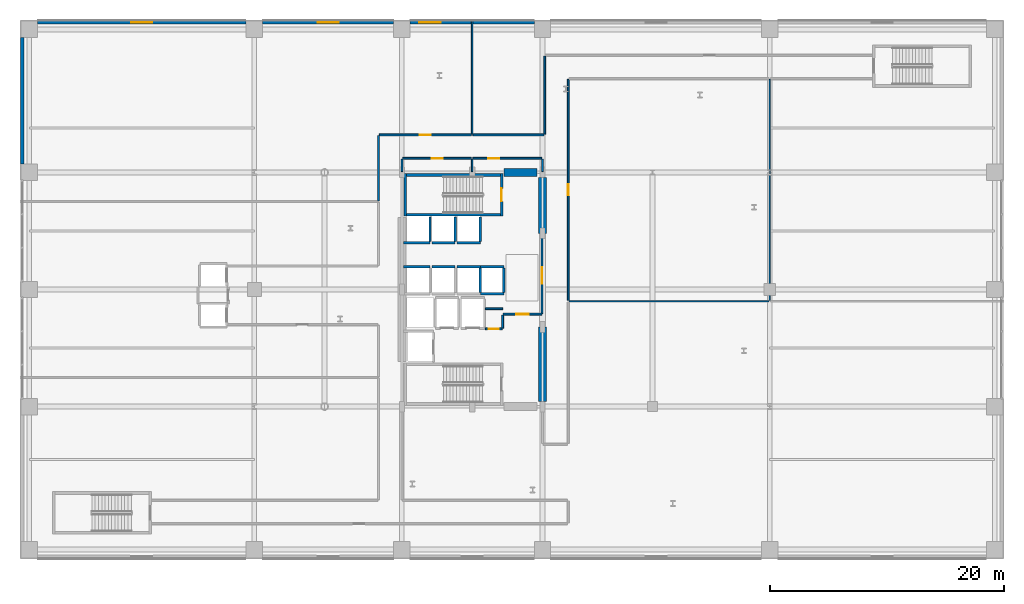
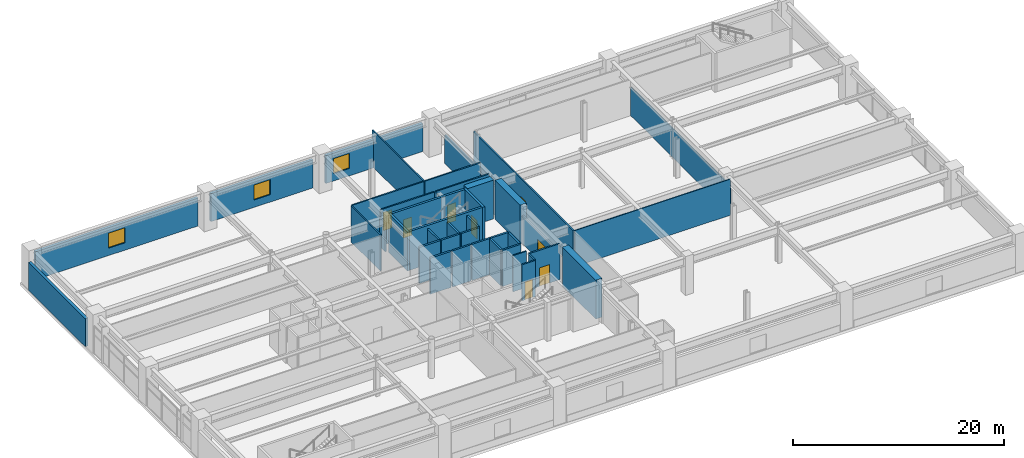
# One storey, part 21 of 28: 42 walls, 8 doors, 3 windows, 11 openings.
"""IFC4 building model written with IfcOpenShell, lengths in metres."""

from ifc_helpers import new_model, si_unit, direction, frame, frame_2d, origin, place, context, subcontext, project, spatial, rectangle, extrude, material, layer, layer_set, type_object, element, fill, save


model = new_model("IFC4")

# Units and contexts
model_context = context("Model", 3, precision=1e-05, world=origin(), true_north=direction((0.0, 1.0)))
body_context = subcontext(model_context, "Body", "Model", "MODEL_VIEW")
ifc_project = project(units=[si_unit("LENGTHUNIT", "METRE"), si_unit("AREAUNIT", "SQUARE_METRE"), si_unit("VOLUMEUNIT", "CUBIC_METRE"), si_unit("PLANEANGLEUNIT", "RADIAN"), si_unit("MASSUNIT", "GRAM", prefix="KILO")], contexts=[model_context])

# Site, building, storey
site_placement = place(None, origin())
site = spatial("IfcSite", under=ifc_project, at=site_placement, CompositionType="ELEMENT")
building_placement = place(site_placement, origin())
building = spatial("IfcBuilding", under=site, at=building_placement, Name="Soratama Intermodal Tower", CompositionType="ELEMENT")
storey_placement = place(building_placement, frame((0.0, 0.0, 20.699951171875)))
storey = spatial("IfcBuildingStorey", under=building, at=storey_placement, Name="L04", CompositionType="ELEMENT", Elevation=20.699951171875)

# Wall, opening, window
ifc_material_1 = material(Name="Concrete f'c 42 MPa", Category="concrete")
ifc_layer_1 = layer(ifc_material_1, 0.300048828125)
ifc_layer_set_1 = layer_set([ifc_layer_1], Name="Concrete f'c 42 MPa")
wall_type_1 = type_object("IfcWallType", Name="EW-STONE-300", PredefinedType="SOLIDWALL", material=ifc_layer_set_1)
wall_1_placement = place(storey_placement, frame((1.5, 47.800048828125, 0.0), z_axis=(0.0, 0.0, 1.0), x_axis=(1.0, 0.0, 0.0)))
wall_1 = element("IfcWall", 1, at=wall_1_placement, inside=storey, type_object=wall_type_1, Name="L04 N Limestone Wall B1", PredefinedType="SOLIDWALL", context=body_context, shape_type="SweptSolid", body=[
    extrude(rectangle(XDim=17.800048828125, YDim=0.300048828125, at=frame_2d((8.89990234375, 0.0))), origin(), (0.0, 0.0, 1.0), 3.236083984375),
])
opening_1_placement = place(wall_1_placement, frame((8.0, 0.0, 0.85009765625)))
opening_1 = element("IfcOpeningElement", 2, at=opening_1_placement, cuts=wall_1, Name="Opening WN-3", PredefinedType="OPENING", context=body_context, shape_type="SweptSolid", body=[
    extrude(rectangle(XDim=1.800048828125, YDim=1.75, at=frame_2d((0.89990234375, 0.875))), frame((0.0, 0.159912109375, 0.0), z_axis=(0.0, -1.0, 0.0), x_axis=(1.0, 0.0, 0.0)), (0.0, 0.0, 1.0), 0.320068359375),
])
ifc_material_2 = material(Name="Double-glazed aluminium window", Category="aluminium")
window_type = type_object("IfcWindowType", Name="WN-POD-1800", PartitioningType="SINGLE_PANEL", PredefinedType="WINDOW", material=ifc_material_2)
window_1_placement = place(opening_1_placement, origin())
window_1 = element("IfcWindow", 3, at=window_1_placement, inside=storey, type_object=window_type, Name="L04 N Window B1", OverallHeight=1.75, OverallWidth=1.800048828125, PartitioningType="SINGLE_PANEL", PredefinedType="WINDOW", context=body_context, shape_type="SweptSolid", body=[
    extrude(rectangle(XDim=1.800048828125, YDim=1.75, at=frame_2d((0.89990234375, 0.875))), frame((0.0, 0.030029296875, 0.0), z_axis=(0.0, -1.0, 0.0), x_axis=(1.0, 0.0, 0.0)), (0.0, 0.0, 1.0), 0.06005859375),
])
fill(opening_1, window_1)

wall_2_placement = place(storey_placement, frame((20.699951171875, 47.800048828125, 0.0), z_axis=(0.0, 0.0, 1.0), x_axis=(1.0, 0.0, 0.0)))
wall_2 = element("IfcWall", 4, at=wall_2_placement, inside=storey, type_object=wall_type_1, Name="L04 N Limestone Wall B2", PredefinedType="SOLIDWALL", context=body_context, shape_type="SweptSolid", body=[
    extrude(rectangle(XDim=11.199951171875, YDim=0.300048828125, at=frame_2d((5.60009765625, 0.0))), origin(), (0.0, 0.0, 1.0), 3.236083984375),
])
opening_2_placement = place(wall_2_placement, frame((4.699951171875, 0.0, 0.85009765625)))
opening_2 = element("IfcOpeningElement", 5, at=opening_2_placement, cuts=wall_2, Name="Opening WN-3", PredefinedType="OPENING", context=body_context, shape_type="SweptSolid", body=[
    extrude(rectangle(XDim=1.800048828125, YDim=1.75, at=frame_2d((0.89990234375, 0.875))), frame((0.0, 0.159912109375, 0.0), z_axis=(0.0, -1.0, 0.0), x_axis=(1.0, 0.0, 0.0)), (0.0, 0.0, 1.0), 0.320068359375),
])
window_2_placement = place(opening_2_placement, origin())
window_2 = element("IfcWindow", 6, at=window_2_placement, inside=storey, type_object=window_type, Name="L04 N Window B2", OverallHeight=1.75, OverallWidth=1.800048828125, PartitioningType="SINGLE_PANEL", PredefinedType="WINDOW", context=body_context, shape_type="SweptSolid", body=[
    extrude(rectangle(XDim=1.800048828125, YDim=1.75, at=frame_2d((0.89990234375, 0.875))), frame((0.0, 0.030029296875, 0.0), z_axis=(0.0, -1.0, 0.0), x_axis=(1.0, 0.0, 0.0)), (0.0, 0.0, 1.0), 0.06005859375),
])
fill(opening_2, window_2)

wall_3_placement = place(storey_placement, frame((33.300048828125, 47.800048828125, 0.0), z_axis=(0.0, 0.0, 1.0), x_axis=(1.0, 0.0, 0.0)))
wall_3 = element("IfcWall", 7, at=wall_3_placement, inside=storey, type_object=wall_type_1, Name="L04 N Limestone Wall B3", PredefinedType="SOLIDWALL", context=body_context, shape_type="SweptSolid", body=[
    extrude(rectangle(XDim=10.599853515625, YDim=0.300048828125, at=frame_2d((5.2998046875, 0.0))), origin(), (0.0, 0.0, 1.0), 3.236083984375),
])
opening_3_placement = place(wall_3_placement, frame((0.800048828125, 0.0, 0.85009765625)))
opening_3 = element("IfcOpeningElement", 8, at=opening_3_placement, cuts=wall_3, Name="Opening WN-3", PredefinedType="OPENING", context=body_context, shape_type="SweptSolid", body=[
    extrude(rectangle(XDim=1.800048828125, YDim=1.75, at=frame_2d((0.89990234375, 0.875))), frame((0.0, 0.159912109375, 0.0), z_axis=(0.0, -1.0, 0.0), x_axis=(1.0, 0.0, 0.0)), (0.0, 0.0, 1.0), 0.320068359375),
])
window_3_placement = place(opening_3_placement, origin())
window_3 = element("IfcWindow", 9, at=window_3_placement, inside=storey, type_object=window_type, Name="L04 N Window B3", OverallHeight=1.75, OverallWidth=1.800048828125, PartitioningType="SINGLE_PANEL", PredefinedType="WINDOW", context=body_context, shape_type="SweptSolid", body=[
    extrude(rectangle(XDim=1.800048828125, YDim=1.75, at=frame_2d((0.89990234375, 0.875))), frame((0.0, 0.030029296875, 0.0), z_axis=(0.0, -1.0, 0.0), x_axis=(1.0, 0.0, 0.0)), (0.0, 0.0, 1.0), 0.06005859375),
])
fill(opening_3, window_3)

# Wall
wall_4_placement = place(storey_placement, frame((0.199951171875, 35.699951171875, 0.0), z_axis=(0.0, 0.0, 1.0), x_axis=(0.0, 1.0, 0.0)))
element("IfcWall", 10, at=wall_4_placement, inside=storey, type_object=wall_type_1, Name="L04 Perimeter Wall WN", PredefinedType="SOLIDWALL", context=body_context, shape_type="SweptSolid", body=[
    extrude(rectangle(XDim=10.800048828125, YDim=0.300048828125, at=frame_2d((5.39990234375, 0.0))), origin(), (0.0, 0.0, 1.0), 3.236083984375),
])

# Wall, opening, door
ifc_material_3 = material(Name="Fire-rated gypsum stud partition", Category="concrete")
ifc_layer_2 = layer(ifc_material_3, 0.14990234375)
ifc_layer_set_2 = layer_set([ifc_layer_2], Name="Fire-rated gypsum stud partition")
wall_type_2 = type_object("IfcWallType", Name="IW-PART-R150", PredefinedType="PARTITIONING", material=ifc_layer_set_2)
wall_5_placement = place(storey_placement, frame((46.800048828125, 42.929931640625, 0.0), z_axis=(0.0, 0.0, 1.0), x_axis=(0.0, -1.0, 0.0)))
wall_5 = element("IfcWall", 11, at=wall_5_placement, inside=storey, type_object=wall_type_2, Name="L04 Partition W-L04-TP007", PredefinedType="PARTITIONING", context=body_context, shape_type="SweptSolid", body=[
    extrude(rectangle(XDim=18.85986328125, YDim=0.14990234375, at=frame_2d((9.429931640625, 0.0))), origin(), (0.0, 0.0, 1.0), 4.179931640625),
])
opening_4_placement = place(wall_5_placement, frame((8.955078125, 0.0, 0.0)))
opening_4 = element("IfcOpeningElement", 12, at=opening_4_placement, cuts=wall_5, Name="Opening ID-6", PredefinedType="OPENING", context=body_context, shape_type="SweptSolid", body=[
    extrude(rectangle(XDim=0.919921875, YDim=2.1201171875, at=frame_2d((0.4599609375, 1.06005859375))), frame((0.0, 0.0849609375, 0.0), z_axis=(0.0, -1.0, 0.0), x_axis=(1.0, 0.0, 0.0)), (0.0, 0.0, 1.0), 0.169921875),
])
ifc_material_4 = material(Name="Solid hardwood acoustic door", Category="wood")
door_type_1 = type_object("IfcDoorType", Name="DR-ROOM-920", OperationType="NOTDEFINED", PredefinedType="DOOR", material=ifc_material_4)
door_1_placement = place(opening_4_placement, origin())
door_1 = element("IfcDoor", 13, at=door_1_placement, inside=storey, type_object=door_type_1, Name="L04 Door D-L04-TP003", OperationType="SINGLE_SWING_RIGHT", OverallHeight=2.1201171875, OverallWidth=0.919921875, PredefinedType="DOOR", context=body_context, shape_type="SweptSolid", body=[
    extrude(rectangle(XDim=0.919921875, YDim=2.1201171875, at=frame_2d((0.4599609375, 1.06005859375))), frame((0.0, 0.02490234375, 0.0), z_axis=(0.0, -1.0, 0.0), x_axis=(1.0, 0.0, 0.0)), (0.0, 0.0, 1.0), 0.050048828125),
])
fill(opening_4, door_1)

wall_6_placement = place(storey_placement, frame((30.669921875, 38.199951171875, 0.0), z_axis=(0.0, 0.0, 1.0), x_axis=(1.0, 0.0, 0.0)))
wall_6 = element("IfcWall", 14, at=wall_6_placement, inside=storey, type_object=wall_type_2, Name="L04 Partition W-L04-TP019", PredefinedType="PARTITIONING", context=body_context, shape_type="SweptSolid", body=[
    extrude(rectangle(XDim=7.860107421875, YDim=0.14990234375, at=frame_2d((3.93017578125, 0.0))), origin(), (0.0, 0.0, 1.0), 4.179931640625),
])
opening_5_placement = place(wall_6_placement, frame((3.455078125, 0.0, 0.0)))
opening_5 = element("IfcOpeningElement", 15, at=opening_5_placement, cuts=wall_6, Name="Opening ID-6", PredefinedType="OPENING", context=body_context, shape_type="SweptSolid", body=[
    extrude(rectangle(XDim=0.919921875, YDim=2.1201171875, at=frame_2d((0.4599609375, 1.06005859375))), frame((0.0, 0.0849609375, 0.0), z_axis=(0.0, -1.0, 0.0), x_axis=(1.0, 0.0, 0.0)), (0.0, 0.0, 1.0), 0.169921875),
])
door_2_placement = place(opening_5_placement, origin())
door_2 = element("IfcDoor", 16, at=door_2_placement, inside=storey, type_object=door_type_1, Name="L04 Door D-L04-TP005", OperationType="SINGLE_SWING_RIGHT", OverallHeight=2.1201171875, OverallWidth=0.919921875, PredefinedType="DOOR", context=body_context, shape_type="SweptSolid", body=[
    extrude(rectangle(XDim=0.919921875, YDim=2.1201171875, at=frame_2d((0.4599609375, 1.06005859375))), frame((0.0, 0.02490234375, 0.0), z_axis=(0.0, -1.0, 0.0), x_axis=(1.0, 0.0, 0.0)), (0.0, 0.0, 1.0), 0.050048828125),
])
fill(opening_5, door_2)

wall_7_placement = place(storey_placement, frame((44.56005859375, 29.800048828125, 0.0), z_axis=(0.0, 0.0, 1.0), x_axis=(0.0, -1.0, 0.0)))
wall_7 = element("IfcWall", 17, at=wall_7_placement, inside=storey, type_object=wall_type_2, Name="L04 Partition W-L04-TP020", PredefinedType="PARTITIONING", context=body_context, shape_type="SweptSolid", body=[
    extrude(rectangle(XDim=6.91015625, YDim=0.14990234375, at=frame_2d((3.455078125, 0.0))), origin(), (0.0, 0.0, 1.0), 3.219970703125),
])
opening_6_placement = place(wall_7_placement, frame((2.9150390625, 0.0, 0.0)))
opening_6 = element("IfcOpeningElement", 18, at=opening_6_placement, cuts=wall_7, Name="Opening ID-2", PredefinedType="OPENING", context=body_context, shape_type="SweptSolid", body=[
    extrude(rectangle(XDim=1.3798828125, YDim=2.199951171875, at=frame_2d((0.68994140625, 1.10009765625))), frame((0.0, 0.0849609375, 0.0), z_axis=(0.0, -1.0, 0.0), x_axis=(1.0, 0.0, 0.0)), (0.0, 0.0, 1.0), 0.169921875),
])
ifc_material_5 = material(Name="Solid hardwood acoustic door", Category="wood")
door_type_2 = type_object("IfcDoorType", Name="DR-POD-1400", OperationType="NOTDEFINED", PredefinedType="DOOR", material=ifc_material_5)
door_3_placement = place(opening_6_placement, origin())
door_3 = element("IfcDoor", 19, at=door_3_placement, inside=storey, type_object=door_type_2, Name="L04 Door D-L04-TP006", OperationType="SINGLE_SWING_LEFT", OverallHeight=2.199951171875, OverallWidth=1.3798828125, PredefinedType="DOOR", context=body_context, shape_type="SweptSolid", body=[
    extrude(rectangle(XDim=1.3798828125, YDim=2.199951171875, at=frame_2d((0.68994140625, 1.10009765625))), frame((0.0, 0.02490234375, 0.0), z_axis=(0.0, -1.0, 0.0), x_axis=(1.0, 0.0, 0.0)), (0.0, 0.0, 1.0), 0.050048828125),
])
fill(opening_6, door_3)

# Walls
wall_8_placement = place(storey_placement, frame((44.800048828125, 38.27001953125, 0.0), z_axis=(0.0, 0.0, 1.0), x_axis=(0.0, 1.0, 0.0)))
element("IfcWall", 20, at=wall_8_placement, inside=storey, type_object=wall_type_2, Name="L04 Partition W-L04-TP021", PredefinedType="PARTITIONING", context=body_context, shape_type="SweptSolid", body=[
    extrude(rectangle(XDim=6.659912109375, YDim=0.14990234375, at=frame_2d((3.330078125, 0.0))), origin(), (0.0, 0.0, 1.0), 3.302001953125),
])
wall_9_placement = place(storey_placement, frame((38.669921875, 38.199951171875, 0.0), z_axis=(0.0, 0.0, 1.0), x_axis=(1.0, 0.0, 0.0)))
element("IfcWall", 21, at=wall_9_placement, inside=storey, type_object=wall_type_2, Name="L04 Partition W-L04-TP022", PredefinedType="PARTITIONING", context=body_context, shape_type="SweptSolid", body=[
    extrude(rectangle(XDim=6.06005859375, YDim=0.14990234375, at=frame_2d((3.030029296875, 0.0))), origin(), (0.0, 0.0, 1.0), 4.179931640625),
])

# Wall, opening, door
wall_10_placement = place(storey_placement, frame((38.530029296875, 36.199951171875, 0.0), z_axis=(0.0, 0.0, 1.0), x_axis=(-1.0, 0.0, 0.0)))
wall_10 = element("IfcWall", 22, at=wall_10_placement, inside=storey, type_object=wall_type_2, Name="L04 Partition W-L04-TP023", PredefinedType="PARTITIONING", context=body_context, shape_type="SweptSolid", body=[
    extrude(rectangle(XDim=5.860107421875, YDim=0.14990234375, at=frame_2d((2.93017578125, 0.0))), origin(), (0.0, 0.0, 1.0), 4.179931640625),
])
opening_7_placement = place(wall_10_placement, frame((2.455078125, 0.0, 0.0)))
opening_7 = element("IfcOpeningElement", 23, at=opening_7_placement, cuts=wall_10, Name="Opening ID-6", PredefinedType="OPENING", context=body_context, shape_type="SweptSolid", body=[
    extrude(rectangle(XDim=0.919921875, YDim=2.1201171875, at=frame_2d((0.4599609375, 1.06005859375))), frame((0.0, 0.0849609375, 0.0), z_axis=(0.0, -1.0, 0.0), x_axis=(1.0, 0.0, 0.0)), (0.0, 0.0, 1.0), 0.169921875),
])
door_4_placement = place(opening_7_placement, origin())
door_4 = element("IfcDoor", 24, at=door_4_placement, inside=storey, type_object=door_type_1, Name="L04 Door D-L04-TP007", OperationType="SINGLE_SWING_RIGHT", OverallHeight=2.1201171875, OverallWidth=0.919921875, PredefinedType="DOOR", context=body_context, shape_type="SweptSolid", body=[
    extrude(rectangle(XDim=0.919921875, YDim=2.1201171875, at=frame_2d((0.4599609375, 1.06005859375))), frame((0.0, 0.02490234375, 0.0), z_axis=(0.0, -1.0, 0.0), x_axis=(1.0, 0.0, 0.0)), (0.0, 0.0, 1.0), 0.050048828125),
])
fill(opening_7, door_4)

wall_11_placement = place(storey_placement, frame((44.530029296875, 36.199951171875, 0.0), z_axis=(0.0, 0.0, 1.0), x_axis=(-1.0, 0.0, 0.0)))
wall_11 = element("IfcWall", 25, at=wall_11_placement, inside=storey, type_object=wall_type_2, Name="L04 Partition W-L04-TP024", PredefinedType="PARTITIONING", context=body_context, shape_type="SweptSolid", body=[
    extrude(rectangle(XDim=5.860107421875, YDim=0.14990234375, at=frame_2d((2.93017578125, 0.0))), origin(), (0.0, 0.0, 1.0), 4.179931640625),
])
opening_8_placement = place(wall_11_placement, frame((3.626953125, 0.0, 0.0)))
opening_8 = element("IfcOpeningElement", 26, at=opening_8_placement, cuts=wall_11, Name="Opening ID-6", PredefinedType="OPENING", context=body_context, shape_type="SweptSolid", body=[
    extrude(rectangle(XDim=0.919921875, YDim=2.1201171875, at=frame_2d((0.4599609375, 1.06005859375))), frame((0.0, 0.0849609375, 0.0), z_axis=(0.0, -1.0, 0.0), x_axis=(1.0, 0.0, 0.0)), (0.0, 0.0, 1.0), 0.169921875),
])
door_5_placement = place(opening_8_placement, origin())
door_5 = element("IfcDoor", 27, at=door_5_placement, inside=storey, type_object=door_type_1, Name="L04 Door D-L04-TP008", OperationType="SINGLE_SWING_LEFT", OverallHeight=2.1201171875, OverallWidth=0.919921875, PredefinedType="DOOR", context=body_context, shape_type="SweptSolid", body=[
    extrude(rectangle(XDim=0.919921875, YDim=2.1201171875, at=frame_2d((0.4599609375, 1.06005859375))), frame((0.0, 0.02490234375, 0.0), z_axis=(0.0, -1.0, 0.0), x_axis=(1.0, 0.0, 0.0)), (0.0, 0.0, 1.0), 0.050048828125),
])
fill(opening_8, door_5)

# Walls
wall_12_placement = place(storey_placement, frame((30.60009765625, 32.570068359375, 0.0), z_axis=(0.0, 0.0, 1.0), x_axis=(0.0, 1.0, 0.0)))
element("IfcWall", 28, at=wall_12_placement, inside=storey, type_object=wall_type_2, Name="L04 Partition W-L04-TP025", PredefinedType="PARTITIONING", context=body_context, shape_type="SweptSolid", body=[
    extrude(rectangle(XDim=5.559814453125, YDim=0.14990234375, at=frame_2d((2.77978515625, 0.0))), origin(), (0.0, 0.0, 1.0), 4.179931640625),
])
for number, where, z_axis, x_axis, name in (
    (29, (32.60009765625, 36.1298828125, 0.0), (0.0, 0.0, 1.0), (0.0, -1.0, 0.0), "L04 Partition W-L04-TP036"),
    (30, (44.60009765625, 35.070068359375, 0.0), (0.0, 0.0, 1.0), (0.0, 1.0, 0.0), "L04 Partition W-L04-TP037"),
):
    element("IfcWall", number, at=place(storey_placement, frame(where, z_axis=z_axis, x_axis=x_axis)), inside=storey, type_object=wall_type_2, Name=name, PredefinedType="PARTITIONING", context=body_context, shape_type="SweptSolid", body=[
        extrude(rectangle(XDim=1.059814453125, YDim=0.14990234375, at=frame_2d((0.52978515625, 0.0))), origin(), (0.0, 0.0, 1.0), 3.302001953125),
    ])
wall_13_placement = place(storey_placement, frame((41.199951171875, 23.360107421875, 0.0), z_axis=(0.0, 0.0, 1.0), x_axis=(-1.0, 0.0, 0.0)))
element("IfcWall", 31, at=wall_13_placement, inside=storey, type_object=wall_type_2, Name="L04 Partition W-L04-TP039", PredefinedType="PARTITIONING", context=body_context, shape_type="SweptSolid", body=[
    extrude(rectangle(XDim=1.47998046875, YDim=0.14990234375, at=frame_2d((0.739990234375, 0.0))), origin(), (0.0, 0.0, 1.0), 4.179931640625),
])

# Wall, opening, door
ifc_material_6 = material(Name="Fire-rated gypsum stud partition", Category="concrete")
ifc_layer_3 = layer(ifc_material_6, 0.169921875)
ifc_layer_set_3 = layer_set([ifc_layer_3], Name="Fire-rated gypsum stud partition")
wall_type_3 = type_object("IfcWallType", Name="IW-PART-R170", PredefinedType="PARTITIONING", material=ifc_layer_set_3)
wall_14_placement = place(storey_placement, frame((41.239990234375, 22.889892578125, 0.0), z_axis=(0.0, 0.0, 1.0), x_axis=(1.0, 0.0, 0.0)))
wall_14 = element("IfcWall", 32, at=wall_14_placement, inside=storey, type_object=wall_type_3, Name="L04 Partition W-L04-TP028", PredefinedType="PARTITIONING", context=body_context, shape_type="SweptSolid", body=[
    extrude(rectangle(XDim=3.320068359375, YDim=0.169921875, at=frame_2d((1.66015625, 0.0))), origin(), (0.0, 0.0, 1.0), 4.179931640625),
])
opening_9_placement = place(wall_14_placement, frame((1.1201171875, 0.0, 0.0)))
opening_9 = element("IfcOpeningElement", 33, at=opening_9_placement, cuts=wall_14, Name="Opening ID-0", PredefinedType="OPENING", context=body_context, shape_type="SweptSolid", body=[
    extrude(rectangle(XDim=1.080078125, YDim=2.14990234375, at=frame_2d((0.5400390625, 1.074951171875))), frame((0.0, 0.094970703125, 0.0), z_axis=(0.0, -1.0, 0.0), x_axis=(1.0, 0.0, 0.0)), (0.0, 0.0, 1.0), 0.18994140625),
])
ifc_material_7 = material(Name="Solid hardwood acoustic door", Category="wood")
door_type_3 = type_object("IfcDoorType", Name="DR-LOB-FD90", OperationType="NOTDEFINED", PredefinedType="DOOR", material=ifc_material_7)
door_6_placement = place(opening_9_placement, origin())
door_6 = element("IfcDoor", 34, at=door_6_placement, inside=storey, type_object=door_type_3, Name="L04 Door D-L04-TP009", OperationType="SINGLE_SWING_RIGHT", OverallHeight=2.14990234375, OverallWidth=1.080078125, PredefinedType="DOOR", context=body_context, shape_type="SweptSolid", body=[
    extrude(rectangle(XDim=1.080078125, YDim=2.14990234375, at=frame_2d((0.5400390625, 1.074951171875))), frame((0.0, 0.02490234375, 0.0), z_axis=(0.0, -1.0, 0.0), x_axis=(1.0, 0.0, 0.0)), (0.0, 0.0, 1.0), 0.050048828125),
])
fill(opening_9, door_6)

wall_15_placement = place(storey_placement, frame((39.719970703125, 21.639892578125, 0.0), z_axis=(0.0, 0.0, 1.0), x_axis=(1.0, 0.0, 0.0)))
wall_15 = element("IfcWall", 35, at=wall_15_placement, inside=storey, type_object=wall_type_3, Name="L04 Partition W-L04-TP032", PredefinedType="PARTITIONING", context=body_context, shape_type="SweptSolid", body=[
    extrude(rectangle(XDim=1.43994140625, YDim=0.169921875, at=frame_2d((0.719970703125, 0.0))), origin(), (0.0, 0.0, 1.0), 4.179931640625),
])
opening_10_placement = place(wall_15_placement, frame((0.294921875, 0.0, 0.0)))
opening_10 = element("IfcOpeningElement", 36, at=opening_10_placement, cuts=wall_15, Name="Opening ID-4", PredefinedType="OPENING", context=body_context, shape_type="SweptSolid", body=[
    extrude(rectangle(XDim=0.85009765625, YDim=2.10009765625, at=frame_2d((0.425048828125, 1.050048828125))), frame((0.0, 0.094970703125, 0.0), z_axis=(0.0, -1.0, 0.0), x_axis=(1.0, 0.0, 0.0)), (0.0, 0.0, 1.0), 0.18994140625),
])
ifc_material_8 = material(Name="Solid hardwood acoustic door", Category="wood")
door_type_4 = type_object("IfcDoorType", Name="DR-BATH-850", OperationType="NOTDEFINED", PredefinedType="DOOR", material=ifc_material_8)
door_7_placement = place(opening_10_placement, origin())
door_7 = element("IfcDoor", 37, at=door_7_placement, inside=storey, type_object=door_type_4, Name="L04 Door D-L04-TP010", OperationType="SINGLE_SWING_LEFT", OverallHeight=2.10009765625, OverallWidth=0.85009765625, PredefinedType="DOOR", context=body_context, shape_type="SweptSolid", body=[
    extrude(rectangle(XDim=0.85009765625, YDim=2.10009765625, at=frame_2d((0.425048828125, 1.050048828125))), frame((0.0, 0.02490234375, 0.0), z_axis=(0.0, -1.0, 0.0), x_axis=(1.0, 0.0, 0.0)), (0.0, 0.0, 1.0), 0.050048828125),
])
fill(opening_10, door_7)

# Walls
wall_16_placement = place(storey_placement, frame((41.199951171875, 21.699951171875, 0.0), z_axis=(0.0, 0.0, 1.0), x_axis=(0.0, 1.0, 0.0)))
element("IfcWall", 38, at=wall_16_placement, inside=storey, type_object=wall_type_3, Name="L04 Partition W-L04-TP035", PredefinedType="PARTITIONING", context=body_context, shape_type="SweptSolid", body=[
    extrude(rectangle(XDim=1.1201171875, YDim=0.169921875, at=frame_2d((0.56005859375, 0.0))), origin(), (0.0, 0.0, 1.0), 4.179931640625),
])
ifc_material_9 = material(Name="Fire-rated gypsum stud partition", Category="concrete")
ifc_layer_4 = layer(ifc_material_9, 0.10009765625)
ifc_layer_set_4 = layer_set([ifc_layer_4], Name="Fire-rated gypsum stud partition")
wall_type_4 = type_object("IfcWallType", Name="IW-PART-S100", PredefinedType="PARTITIONING", material=ifc_layer_set_4)
wall_17_placement = place(storey_placement, frame((46.8701171875, 24.0, 0.0), z_axis=(0.0, 0.0, 1.0), x_axis=(1.0, 0.0, 0.0)))
element("IfcWall", 39, at=wall_17_placement, inside=storey, type_object=wall_type_4, Name="L04 Partition W-L04-TP010", PredefinedType="PARTITIONING", context=body_context, shape_type="SweptSolid", body=[
    extrude(rectangle(XDim=17.059814453125, YDim=0.10009765625, at=frame_2d((8.52978515625, 0.0))), origin(), (0.0, 0.0, 1.0), 4.179931640625),
])
ifc_material_10 = material(Name="Fire-rated gypsum stud partition", Category="concrete")
ifc_layer_5 = layer(ifc_material_10, 0.1201171875)
ifc_layer_set_5 = layer_set([ifc_layer_5], Name="Fire-rated gypsum stud partition")
wall_type_5 = type_object("IfcWallType", Name="IW-PART-S120", PredefinedType="PARTITIONING", material=ifc_layer_set_5)
wall_18_placement = place(storey_placement, frame((64.0, 42.929931640625, 0.0), z_axis=(0.0, 0.0, 1.0), x_axis=(0.0, -1.0, 0.0)))
element("IfcWall", 40, at=wall_18_placement, inside=storey, type_object=wall_type_5, Name="L04 Partition W-L04-TP008", PredefinedType="PARTITIONING", context=body_context, shape_type="SweptSolid", body=[
    extrude(rectangle(XDim=18.85986328125, YDim=0.1201171875, at=frame_2d((9.429931640625, 0.0))), origin(), (0.0, 0.0, 1.0), 3.302001953125),
])
wall_19_placement = place(storey_placement, frame((38.60009765625, 36.1298828125, 0.0), z_axis=(0.0, 0.0, 1.0), x_axis=(0.0, -1.0, 0.0)))
element("IfcWall", 41, at=wall_19_placement, inside=storey, type_object=wall_type_5, Name="L04 Partition W-L04-TP038", PredefinedType="PARTITIONING", context=body_context, shape_type="SweptSolid", body=[
    extrude(rectangle(XDim=1.059814453125, YDim=0.1201171875, at=frame_2d((0.52978515625, 0.0))), origin(), (0.0, 0.0, 1.0), 4.179931640625),
])
ifc_material_11 = material(Name="Fire-rated gypsum stud partition", Category="concrete")
ifc_layer_6 = layer(ifc_material_11, 0.139892578125)
ifc_layer_set_6 = layer_set([ifc_layer_6], Name="Fire-rated gypsum stud partition")
wall_type_6 = type_object("IfcWallType", Name="IW-PART-S140", PredefinedType="PARTITIONING", material=ifc_layer_set_6)
wall_20_placement = place(storey_placement, frame((38.60009765625, 38.27001953125, 0.0), z_axis=(0.0, 0.0, 1.0), x_axis=(0.0, 1.0, 0.0)))
element("IfcWall", 42, at=wall_20_placement, inside=storey, type_object=wall_type_6, Name="L04 Partition W-L04-TP016", PredefinedType="PARTITIONING", context=body_context, shape_type="SweptSolid", body=[
    extrude(rectangle(XDim=9.72998046875, YDim=0.139892578125, at=frame_2d((4.864990234375, 0.0))), origin(), (0.0, 0.0, 1.0), 4.179931640625),
])
ifc_material_12 = material(Name="Concrete f'c 42 MPa", Category="concrete")
ifc_layer_7 = layer(ifc_material_12, 0.199951171875)
ifc_layer_set_7 = layer_set([ifc_layer_7], Name="Concrete f'c 42 MPa")
wall_type_7 = type_object("IfcWallType", Name="IW-SHAFT-200", PredefinedType="SOLIDWALL", material=ifc_layer_set_7)
wall_21_placement = place(storey_placement, frame((32.719970703125, 26.949951171875, 0.0), z_axis=(0.0, 0.0, 1.0), x_axis=(1.0, 0.0, 0.0)))
element("IfcWall", 43, at=wall_21_placement, inside=storey, type_object=wall_type_7, Name="L04 PL-L1 Hoistway Wall N", PredefinedType="SOLIDWALL", context=body_context, shape_type="SweptSolid", body=[
    extrude(rectangle(XDim=2.280029296875, YDim=0.199951171875, at=frame_2d((1.14013671875, 0.0))), origin(), (0.0, 0.0, 1.0), 4.179931640625),
])
for number, where, z_axis, x_axis, name in (
    (44, (35.14990234375, 26.949951171875, 0.0), (0.0, 0.0, 1.0), (1.0, 0.0, 0.0), "L04 PL-L2 Hoistway Wall N"),
    (45, (37.300048828125, 26.949951171875, 0.0), (0.0, 0.0, 1.0), (1.0, 0.0, 0.0), "L04 PL-L3 Hoistway Wall N"),
):
    element("IfcWall", number, at=place(storey_placement, frame(where, z_axis=z_axis, x_axis=x_axis)), inside=storey, type_object=wall_type_7, Name=name, PredefinedType="SOLIDWALL", context=body_context, shape_type="SweptSolid", body=[
        extrude(rectangle(XDim=2.0, YDim=0.199951171875, at=frame_2d((1.0, 0.0))), origin(), (0.0, 0.0, 1.0), 4.179931640625),
    ])
wall_22_placement = place(storey_placement, frame((39.300048828125, 24.760009765625, 0.0), z_axis=(0.0, 0.0, 1.0), x_axis=(0.0, 1.0, 0.0)))
element("IfcWall", 46, at=wall_22_placement, inside=storey, type_object=wall_type_7, Name="L04 PL-L3 Hoistway Wall E", PredefinedType="SOLIDWALL", context=body_context, shape_type="SweptSolid", body=[
    extrude(rectangle(XDim=2.080078125, YDim=0.199951171875, at=frame_2d((1.0400390625, 0.0))), origin(), (0.0, 0.0, 1.0), 4.179931640625),
])
for number, where, z_axis, x_axis, name in (
    (47, (39.300048828125, 24.64990234375, 0.0), (0.0, 0.0, 1.0), (1.0, 0.0, 0.0), "L04 PL-M1 Hoistway Wall S"),
    (48, (39.300048828125, 26.949951171875, 0.0), (0.0, 0.0, 1.0), (1.0, 0.0, 0.0), "L04 PL-M1 Hoistway Wall N"),
):
    element("IfcWall", number, at=place(storey_placement, frame(where, z_axis=z_axis, x_axis=x_axis)), inside=storey, type_object=wall_type_7, Name=name, PredefinedType="SOLIDWALL", context=body_context, shape_type="SweptSolid", body=[
        extrude(rectangle(XDim=2.0, YDim=0.199951171875, at=frame_2d((1.0, 0.0))), origin(), (0.0, 0.0, 1.0), 4.179931640625),
    ])
wall_23_placement = place(storey_placement, frame((41.300048828125, 24.760009765625, 0.0), z_axis=(0.0, 0.0, 1.0), x_axis=(0.0, 1.0, 0.0)))
element("IfcWall", 49, at=wall_23_placement, inside=storey, type_object=wall_type_7, Name="L04 PL-M1 Hoistway Wall E", PredefinedType="SOLIDWALL", context=body_context, shape_type="SweptSolid", body=[
    extrude(rectangle(XDim=2.080078125, YDim=0.199951171875, at=frame_2d((1.0400390625, 0.0))), origin(), (0.0, 0.0, 1.0), 4.179931640625),
])
wall_24_placement = place(storey_placement, frame((32.719970703125, 29.0, 0.0), z_axis=(0.0, 0.0, 1.0), x_axis=(1.0, 0.0, 0.0)))
element("IfcWall", 50, at=wall_24_placement, inside=storey, type_object=wall_type_7, Name="L04 PL-M2 Hoistway Wall S", PredefinedType="SOLIDWALL", context=body_context, shape_type="SweptSolid", body=[
    extrude(rectangle(XDim=2.280029296875, YDim=0.199951171875, at=frame_2d((1.14013671875, 0.0))), origin(), (0.0, 0.0, 1.0), 4.179931640625),
])
wall_25_placement = place(storey_placement, frame((35.0, 29.110107421875, 0.0), z_axis=(0.0, 0.0, 1.0), x_axis=(0.0, 1.0, 0.0)))
element("IfcWall", 51, at=wall_25_placement, inside=storey, type_object=wall_type_7, Name="L04 PL-M2 Hoistway Wall E", PredefinedType="SOLIDWALL", context=body_context, shape_type="SweptSolid", body=[
    extrude(rectangle(XDim=2.099853515625, YDim=0.199951171875, at=frame_2d((1.0498046875, 0.0))), origin(), (0.0, 0.0, 1.0), 4.179931640625),
])
wall_26_placement = place(storey_placement, frame((35.14990234375, 29.0, 0.0), z_axis=(0.0, 0.0, 1.0), x_axis=(1.0, 0.0, 0.0)))
element("IfcWall", 52, at=wall_26_placement, inside=storey, type_object=wall_type_7, Name="L04 PL-H1 Hoistway Wall S", PredefinedType="SOLIDWALL", context=body_context, shape_type="SweptSolid", body=[
    extrude(rectangle(XDim=2.0, YDim=0.199951171875, at=frame_2d((1.0, 0.0))), origin(), (0.0, 0.0, 1.0), 4.179931640625),
])
wall_27_placement = place(storey_placement, frame((37.14990234375, 29.110107421875, 0.0), z_axis=(0.0, 0.0, 1.0), x_axis=(0.0, 1.0, 0.0)))
element("IfcWall", 53, at=wall_27_placement, inside=storey, type_object=wall_type_7, Name="L04 PL-H1 Hoistway Wall E", PredefinedType="SOLIDWALL", context=body_context, shape_type="SweptSolid", body=[
    extrude(rectangle(XDim=2.099853515625, YDim=0.199951171875, at=frame_2d((1.0498046875, 0.0))), origin(), (0.0, 0.0, 1.0), 4.179931640625),
])
wall_28_placement = place(storey_placement, frame((37.300048828125, 29.0, 0.0), z_axis=(0.0, 0.0, 1.0), x_axis=(1.0, 0.0, 0.0)))
element("IfcWall", 54, at=wall_28_placement, inside=storey, type_object=wall_type_7, Name="L04 PL-H2 Hoistway Wall S", PredefinedType="SOLIDWALL", context=body_context, shape_type="SweptSolid", body=[
    extrude(rectangle(XDim=2.0, YDim=0.199951171875, at=frame_2d((1.0, 0.0))), origin(), (0.0, 0.0, 1.0), 4.179931640625),
])
wall_29_placement = place(storey_placement, frame((39.300048828125, 29.110107421875, 0.0), z_axis=(0.0, 0.0, 1.0), x_axis=(0.0, 1.0, 0.0)))
element("IfcWall", 55, at=wall_29_placement, inside=storey, type_object=wall_type_7, Name="L04 PL-H2 Hoistway Wall E", PredefinedType="SOLIDWALL", context=body_context, shape_type="SweptSolid", body=[
    extrude(rectangle(XDim=2.099853515625, YDim=0.199951171875, at=frame_2d((1.0498046875, 0.0))), origin(), (0.0, 0.0, 1.0), 4.179931640625),
])
ifc_material_13 = material(Name="Concrete f'c 56 MPa", Category="concrete")
ifc_layer_8 = layer(ifc_material_13, 0.699951171875)
ifc_layer_set_8 = layer_set([ifc_layer_8], Name="Concrete f'c 56 MPa")
wall_type_8 = type_object("IfcWallType", Name="SW-CORE-700", PredefinedType="SHEAR", material=ifc_layer_set_8)
wall_30_placement = place(storey_placement, frame((41.300048828125, 35.0, 0.0), z_axis=(0.0, 0.0, 1.0), x_axis=(1.0, 0.0, 0.0)))
element("IfcWall", 56, at=wall_30_placement, inside=storey, type_object=wall_type_8, Name="L04 Core Shear Wall CW-NE", PredefinedType="SHEAR", context=body_context, shape_type="SweptSolid", body=[
    extrude(rectangle(XDim=2.849853515625, YDim=0.699951171875, at=frame_2d((1.4248046875, 0.0))), origin(), (0.0, 0.0, 1.0), 4.5),
])
wall_31_placement = place(storey_placement, frame((44.60009765625, 15.449951171875, 0.0), z_axis=(0.0, 0.0, 1.0), x_axis=(0.0, 1.0, 0.0)))
element("IfcWall", 57, at=wall_31_placement, inside=storey, type_object=wall_type_8, Name="L04 Core Shear Wall CW-ES", PredefinedType="SHEAR", context=body_context, shape_type="SweptSolid", body=[
    extrude(rectangle(XDim=6.35009765625, YDim=0.699951171875, at=frame_2d((3.175048828125, 0.0))), origin(), (0.0, 0.0, 1.0), 4.5),
])
wall_32_placement = place(storey_placement, frame((44.60009765625, 29.800048828125, 0.0), z_axis=(0.0, 0.0, 1.0), x_axis=(0.0, 1.0, 0.0)))
element("IfcWall", 58, at=wall_32_placement, inside=storey, type_object=wall_type_8, Name="L04 Core Shear Wall CW-EN", PredefinedType="SHEAR", context=body_context, shape_type="SweptSolid", body=[
    extrude(rectangle(XDim=4.75, YDim=0.699951171875, at=frame_2d((2.375, 0.0))), origin(), (0.0, 0.0, 1.0), 4.5),
])
ifc_material_14 = material(Name="Concrete f'c 56 MPa", Category="concrete")
ifc_layer_9 = layer(ifc_material_14, 0.239990234375)
ifc_layer_set_9 = layer_set([ifc_layer_9], Name="Concrete f'c 56 MPa")
wall_type_9 = type_object("IfcWallType", Name="SW-STAIR-240", PredefinedType="SHEAR", material=ifc_layer_set_9)
wall_33_placement = place(storey_placement, frame((32.8798828125, 31.260009765625, 0.0), z_axis=(0.0, 0.0, 1.0), x_axis=(0.0, 1.0, 0.0)))
element("IfcWall", 59, at=wall_33_placement, inside=storey, type_object=wall_type_9, Name="L04 ST-2 Shaft Shear Wall W", PredefinedType="SHEAR", context=body_context, shape_type="SweptSolid", body=[
    extrude(rectangle(XDim=3.6298828125, YDim=0.239990234375, at=frame_2d((1.81494140625, 0.0))), origin(), (0.0, 0.0, 1.0), 4.5),
])

# Wall, opening, door
wall_34_placement = place(storey_placement, frame((41.1201171875, 31.260009765625, 0.0), z_axis=(0.0, 0.0, 1.0), x_axis=(0.0, 1.0, 0.0)))
wall_34 = element("IfcWall", 60, at=wall_34_placement, inside=storey, type_object=wall_type_9, Name="L04 ST-2 Shaft Shear Wall E", PredefinedType="SHEAR", context=body_context, shape_type="SweptSolid", body=[
    extrude(rectangle(XDim=3.6298828125, YDim=0.239990234375, at=frame_2d((1.81494140625, 0.0))), origin(), (0.0, 0.0, 1.0), 4.5),
])
opening_11_placement = place(wall_34_placement, frame((1.2548828125, 0.0, 0.0)))
opening_11 = element("IfcOpeningElement", 61, at=opening_11_placement, cuts=wall_34, Name="Opening SD-1", PredefinedType="OPENING", context=body_context, shape_type="SweptSolid", body=[
    extrude(rectangle(XDim=1.1201171875, YDim=2.14990234375, at=frame_2d((0.56005859375, 1.074951171875))), frame((0.0, 0.1298828125, 0.0), z_axis=(0.0, -1.0, 0.0), x_axis=(1.0, 0.0, 0.0)), (0.0, 0.0, 1.0), 0.260009765625),
])
ifc_material_15 = material(Name="Steel fire door", Category="steel")
door_type_5 = type_object("IfcDoorType", Name="DR-STAIR-FD90", OperationType="NOTDEFINED", PredefinedType="DOOR", material=ifc_material_15)
door_8_placement = place(opening_11_placement, origin())
door_8 = element("IfcDoor", 62, at=door_8_placement, inside=storey, type_object=door_type_5, Name="L04 ST-2 Exit Stair Door", OperationType="SINGLE_SWING_RIGHT", OverallHeight=2.14990234375, OverallWidth=1.1201171875, PredefinedType="DOOR", context=body_context, shape_type="SweptSolid", body=[
    extrude(rectangle(XDim=1.1201171875, YDim=2.14990234375, at=frame_2d((0.56005859375, 1.074951171875))), frame((0.0, 0.02490234375, 0.0), z_axis=(0.0, -1.0, 0.0), x_axis=(1.0, 0.0, 0.0)), (0.0, 0.0, 1.0), 0.050048828125),
])
fill(opening_11, door_8)

# Walls
for number, where, z_axis, x_axis, name in (
    (63, (33.0, 31.3798828125, 0.0), (0.0, 0.0, 1.0), (1.0, 0.0, 0.0), "L04 ST-2 Shaft Shear Wall S"),
    (64, (33.0, 34.77001953125, 0.0), (0.0, 0.0, 1.0), (1.0, 0.0, 0.0), "L04 ST-2 Shaft Shear Wall N"),
):
    element("IfcWall", number, at=place(storey_placement, frame(where, z_axis=z_axis, x_axis=x_axis)), inside=storey, type_object=wall_type_9, Name=name, PredefinedType="SHEAR", context=body_context, shape_type="SweptSolid", body=[
        extrude(rectangle(XDim=8.0, YDim=0.239990234375, at=frame_2d((4.0, 0.0))), origin(), (0.0, 0.0, 1.0), 4.5),
    ])

save(model, "model.ifc")
